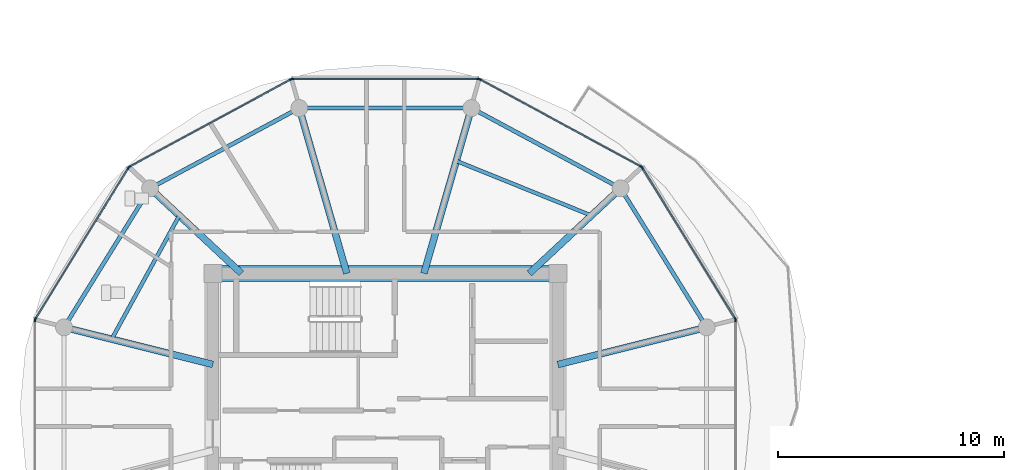
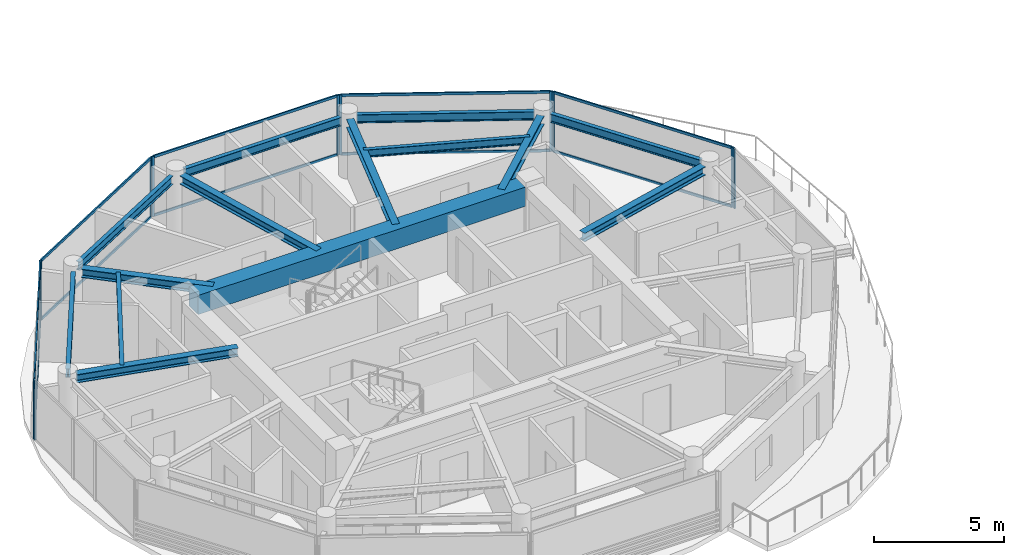
# One storey, part 4 of 19: 22 members, 14 beams, 7 elements without a shape of their own.
"""IFC4 building model written with IfcOpenShell, lengths in metres."""

from ifc_helpers import new_model, si_unit, direction, frame, origin, origin_2d, place, context, subcontext, project, spatial, rectangle, i_section, extrude, source, transform, mapped, material, layer, layer_set, material_profile, profile_set, type_object, type_shapes, element, aggregate, save


model = new_model("IFC4")

# Units and contexts
model_context = context("Model", 3, precision=1e-05, world=origin(), true_north=direction((0.0, 1.0)))
body_context = subcontext(model_context, "Body", "Model", "MODEL_VIEW")
ifc_project = project(units=[si_unit("LENGTHUNIT", "METRE"), si_unit("AREAUNIT", "SQUARE_METRE"), si_unit("VOLUMEUNIT", "CUBIC_METRE"), si_unit("PLANEANGLEUNIT", "RADIAN"), si_unit("MASSUNIT", "GRAM", prefix="KILO")], contexts=[model_context])

# Site, building, storey
site_placement = place(None, origin())
site = spatial("IfcSite", under=ifc_project, at=site_placement, CompositionType="ELEMENT")
building_placement = place(site_placement, origin())
building = spatial("IfcBuilding", under=site, at=building_placement, Name="Norrkilde Senior Care Towers", CompositionType="ELEMENT")
storey_placement = place(building_placement, frame((0.0, 0.0, 193.699951171875)))
storey = spatial("IfcBuildingStorey", under=building, at=storey_placement, Name="L60", CompositionType="ELEMENT", Elevation=193.699951171875)

# Beams
ifc_material_1 = material(Name="Concrete C60/75", Category="concrete")
ifc_material_profile_1 = material_profile(ifc_material_1, rectangle(XDim=0.699951171875, YDim=0.89990234375, at=origin_2d()), Name="RC BM 700x900")
ifc_profile_set_1 = profile_set([ifc_material_profile_1], Name="Concrete C60/75")
beam_type_1 = type_object("IfcBeamType", Name="Core Coupling Girder 700x900", PredefinedType="USERDEFINED", material=ifc_profile_set_1)
shared_shape_1 = source(origin(), body_context, "Body", "SweptSolid", [
    extrude(rectangle(XDim=0.699951171875, YDim=0.89990234375, at=origin_2d()), origin(), (0.0, 0.0, 1.0), 14.5400390625),
])
type_shapes(beam_type_1, [shared_shape_1])
beam_1_placement = place(storey_placement, frame((-35.27001953125, 5.949951171875, 2.360107421875), z_axis=(1.0, 0.0, 0.0), x_axis=(0.0, 1.0, 0.0)))
element("IfcBeam", 1, at=beam_1_placement, inside=storey, type_object=beam_type_1, Name="L60 Core W N Coupling Girder", ObjectType="GIRDER", PredefinedType="USERDEFINED", context=body_context, shape_type="MappedRepresentation", body=[
    mapped(shared_shape_1, transform((0.0, 0.0, 0.0), x_axis=(1.0, 0.0, 0.0), y_axis=(0.0, 1.0, 0.0), z_axis=(0.0, 0.0, 1.0), scale=1.0)),
])
ifc_material_2 = material(Name="Steel S355", Category="steel")
ifc_material_profile_2 = material_profile(ifc_material_2, i_section(OverallWidth=0.179931640625, OverallDepth=0.39990234375, WebThickness=0.008544921875, FlangeThickness=0.013427734375, FilletRadius=0.02099609375, at=origin_2d()), Name="IPE 400")
ifc_profile_set_2 = profile_set([ifc_material_profile_2], Name="Steel S355")
beam_type_2 = type_object("IfcBeamType", Name="Perimeter Ring Spandrel Z4 IPE400", PredefinedType="SPANDREL", material=ifc_profile_set_2)
shared_shape_2 = source(origin(), body_context, "Body", "SweptSolid", [
    extrude(i_section(OverallWidth=0.179931640625, OverallDepth=0.39990234375, WebThickness=0.008544921875, FlangeThickness=0.013427734375, FilletRadius=0.02099609375, at=origin_2d()), origin(), (0.0, 0.0, 1.0), 6.58056640625),
])
for number, where, z_axis, x_axis, name in (
    (2, (-13.928955078125, 3.843505859375, 2.610107421875), (-0.526529583789, 0.850156807533, 0.0), (-0.850156807533, -0.526529583789, 0.0), "L60 Drum W Perimeter Spandrel 01"),
    (3, (-38.606201171875, 9.43798828125, 2.610107421875), (-0.526529583789, -0.850156807533, 0.0), (0.850156807533, -0.526529583789, 0.0), "L60 Drum W Perimeter Spandrel 05"),
):
    element("IfcBeam", number, at=place(storey_placement, frame(where, z_axis=z_axis, x_axis=x_axis)), inside=storey, type_object=beam_type_2, Name=name, PredefinedType="SPANDREL", context=body_context, shape_type="MappedRepresentation", body=[
        mapped(shared_shape_2, transform((0.0, 0.0, 0.0), x_axis=(1.0, 0.0, 0.0), y_axis=(0.0, 1.0, 0.0), z_axis=(0.0, 0.0, 1.0), scale=1.0)),
    ])
ifc_material_profile_3 = material_profile(ifc_material_2, i_section(OverallWidth=0.300048828125, OverallDepth=0.39990234375, WebThickness=0.013427734375, FlangeThickness=0.02392578125, FilletRadius=0.027099609375, at=origin_2d()), Name="HEB 400")
ifc_profile_set_3 = profile_set([ifc_material_profile_3], Name="Steel S355")
beam_type_3 = type_object("IfcBeamType", Name="Radial Floor Beam Z4 HEB400", PredefinedType="BEAM", material=ifc_profile_set_3)
shared_shape_3 = source(origin(), body_context, "Body", "SweptSolid", [
    extrude(i_section(OverallWidth=0.300048828125, OverallDepth=0.39990234375, WebThickness=0.013427734375, FlangeThickness=0.02392578125, FilletRadius=0.027099609375, at=origin_2d()), origin(), (0.0, 0.0, 1.0), 6.465087890625),
])
for number, where, z_axis, x_axis, name in (
    (4, (-20.35009765625, 1.910888671875, 2.610107421875), (0.970195788563, 0.242322371758, 0.0), (-0.242322371758, 0.970195788563, 0.0), "L60 Drum W Radial Floor Beam 01"),
    (5, (-35.64990234375, 1.910888671875, 2.610107421875), (-0.970195788563, 0.242322371758, 0.0), (-0.242322371758, -0.970195788563, 0.0), "L60 Drum W Radial Floor Beam 06"),
):
    element("IfcBeam", number, at=place(storey_placement, frame(where, z_axis=z_axis, x_axis=x_axis)), inside=storey, type_object=beam_type_3, Name=name, PredefinedType="BEAM", context=body_context, shape_type="MappedRepresentation", body=[
        mapped(shared_shape_3, transform((0.0, 0.0, 0.0), x_axis=(1.0, 0.0, 0.0), y_axis=(0.0, 1.0, 0.0), z_axis=(0.0, 0.0, 1.0), scale=1.0)),
    ])
shared_shape_4 = source(origin(), body_context, "Body", "SweptSolid", [
    extrude(i_section(OverallWidth=0.179931640625, OverallDepth=0.39990234375, WebThickness=0.008544921875, FlangeThickness=0.013427734375, FilletRadius=0.02099609375, at=origin_2d()), origin(), (0.0, 0.0, 1.0), 6.839111328125),
])
for number, where, z_axis, x_axis, name in (
    (6, (-17.865234375, 9.881591796875, 2.610107421875), (-0.880563930732, 0.473927382511, 0.0), (-0.473927382511, -0.880563930732, 0.0), "L60 Drum W Perimeter Spandrel 02"),
    (7, (-32.112548828125, 13.122802734375, 2.610107421875), (-0.880563930732, -0.473927382511, 0.0), (0.473927382511, -0.880563930732, 0.0), "L60 Drum W Perimeter Spandrel 04"),
):
    element("IfcBeam", number, at=place(storey_placement, frame(where, z_axis=z_axis, x_axis=x_axis)), inside=storey, type_object=beam_type_2, Name=name, PredefinedType="SPANDREL", context=body_context, shape_type="MappedRepresentation", body=[
        mapped(shared_shape_4, transform((0.0, 0.0, 0.0), x_axis=(1.0, 0.0, 0.0), y_axis=(0.0, 1.0, 0.0), z_axis=(0.0, 0.0, 1.0), scale=1.0)),
    ])
shared_shape_5 = source(origin(), body_context, "Body", "SweptSolid", [
    extrude(i_section(OverallWidth=0.300048828125, OverallDepth=0.39990234375, WebThickness=0.013427734375, FlangeThickness=0.02392578125, FilletRadius=0.027099609375, at=origin_2d()), origin(), (0.0, 0.0, 1.0), 5.197998046875),
])
for number, where, z_axis, x_axis, name in (
    (8, (-21.6171875, 5.949951171875, 2.610107421875), (0.731448749334, 0.681896419625, 0.0), (-0.681896419625, 0.731448749334, 0.0), "L60 Drum W Radial Floor Beam 02"),
    (9, (-34.3828125, 5.949951171875, 2.610107421875), (-0.731448749334, 0.681896419625, 0.0), (-0.681896419625, -0.731448749334, 0.0), "L60 Drum W Radial Floor Beam 05"),
):
    element("IfcBeam", number, at=place(storey_placement, frame(where, z_axis=z_axis, x_axis=x_axis)), inside=storey, type_object=beam_type_3, Name=name, PredefinedType="BEAM", context=body_context, shape_type="MappedRepresentation", body=[
        mapped(shared_shape_5, transform((0.0, 0.0, 0.0), x_axis=(1.0, 0.0, 0.0), y_axis=(0.0, 1.0, 0.0), z_axis=(0.0, 0.0, 1.0), scale=1.0)),
    ])
shared_shape_6 = source(origin(), body_context, "Body", "SweptSolid", [
    extrude(i_section(OverallWidth=0.179931640625, OverallDepth=0.39990234375, WebThickness=0.008544921875, FlangeThickness=0.013427734375, FilletRadius=0.02099609375, at=origin_2d()), origin(), (0.0, 0.0, 1.0), 6.96533203125),
])
type_shapes(beam_type_2, [shared_shape_2, shared_shape_4, shared_shape_6])
beam_2_placement = place(storey_placement, frame((-24.517333984375, 13.281494140625, 2.610107421875), z_axis=(-1.0, 0.0, 0.0), x_axis=(0.0, -1.0, 0.0)))
element("IfcBeam", 10, at=beam_2_placement, inside=storey, type_object=beam_type_2, Name="L60 Drum W Perimeter Spandrel 03", PredefinedType="SPANDREL", context=body_context, shape_type="MappedRepresentation", body=[
    mapped(shared_shape_6, transform((0.0, 0.0, 0.0), x_axis=(1.0, 0.0, 0.0), y_axis=(0.0, 1.0, 0.0), z_axis=(0.0, 0.0, 1.0), scale=1.0)),
])
shared_shape_7 = source(origin(), body_context, "Body", "SweptSolid", [
    extrude(i_section(OverallWidth=0.300048828125, OverallDepth=0.39990234375, WebThickness=0.013427734375, FlangeThickness=0.02392578125, FilletRadius=0.027099609375, at=origin_2d()), origin(), (0.0, 0.0, 1.0), 7.29345703125),
])
type_shapes(beam_type_3, [shared_shape_3, shared_shape_5, shared_shape_7])
for number, where, z_axis, x_axis, name in (
    (11, (-26.289794921875, 5.949951171875, 2.610107421875), (0.276263751906, 0.961081858836, 0.0), (-0.961081858836, 0.276263751906, 0.0), "L60 Drum W Radial Floor Beam 03"),
    (12, (-29.710205078125, 5.949951171875, 2.610107421875), (-0.276263751906, 0.961081858836, 0.0), (-0.961081858836, -0.276263751906, 0.0), "L60 Drum W Radial Floor Beam 04"),
):
    element("IfcBeam", number, at=place(storey_placement, frame(where, z_axis=z_axis, x_axis=x_axis)), inside=storey, type_object=beam_type_3, Name=name, PredefinedType="BEAM", context=body_context, shape_type="MappedRepresentation", body=[
        mapped(shared_shape_7, transform((0.0, 0.0, 0.0), x_axis=(1.0, 0.0, 0.0), y_axis=(0.0, 1.0, 0.0), z_axis=(0.0, 0.0, 1.0), scale=1.0)),
    ])
ifc_material_profile_4 = material_profile(ifc_material_2, i_section(OverallWidth=0.169921875, OverallDepth=0.360107421875, WebThickness=0.008056640625, FlangeThickness=0.0126953125, FilletRadius=0.01806640625, at=origin_2d()), Name="IPE 360")
ifc_profile_set_4 = profile_set([ifc_material_profile_4], Name="Steel S355")
beam_type_4 = type_object("IfcBeamType", Name="Secondary Floor Joist IPE360", PredefinedType="JOIST", material=ifc_profile_set_4)
shared_shape_8 = source(origin(), body_context, "Body", "SweptSolid", [
    extrude(i_section(OverallWidth=0.169921875, OverallDepth=0.360107421875, WebThickness=0.008056640625, FlangeThickness=0.0126953125, FilletRadius=0.01806640625, at=origin_2d()), origin(), (0.0, 0.0, 1.0), 6.461669921875),
])
beam_3_placement = place(storey_placement, frame((-18.865234375, 8.515380859375, 2.630126953125), z_axis=(-0.927225942298, 0.374502405772, 0.0), x_axis=(-0.374502405772, -0.927225942298, 0.0)))
element("IfcBeam", 13, at=beam_3_placement, inside=storey, type_object=beam_type_4, Name="L60 Drum W Secondary Floor Joist 1", PredefinedType="JOIST", context=body_context, shape_type="MappedRepresentation", body=[
    mapped(shared_shape_8, transform((0.0, 0.0, 0.0), x_axis=(1.0, 0.0, 0.0), y_axis=(0.0, 1.0, 0.0), z_axis=(0.0, 0.0, 1.0), scale=1.0)),
])
shared_shape_9 = source(origin(), body_context, "Body", "SweptSolid", [
    extrude(i_section(OverallWidth=0.169921875, OverallDepth=0.360107421875, WebThickness=0.008056640625, FlangeThickness=0.0126953125, FilletRadius=0.01806640625, at=origin_2d()), origin(), (0.0, 0.0, 1.0), 6.25146484375),
])
type_shapes(beam_type_4, [shared_shape_8, shared_shape_9])
beam_4_placement = place(storey_placement, frame((-37.134765625, 8.515380859375, 2.630126953125), z_axis=(-0.480115752653, -0.877205143655, 0.0), x_axis=(0.877205143655, -0.480115752653, 0.0)))
element("IfcBeam", 14, at=beam_4_placement, inside=storey, type_object=beam_type_4, Name="L60 Drum W Secondary Floor Joist 2", PredefinedType="JOIST", context=body_context, shape_type="MappedRepresentation", body=[
    mapped(shared_shape_9, transform((0.0, 0.0, 0.0), x_axis=(1.0, 0.0, 0.0), y_axis=(0.0, 1.0, 0.0), z_axis=(0.0, 0.0, 1.0), scale=1.0)),
])

# Curtain wall, members
ifc_material_3 = material(Name="Triple Low-E Insulated Glazing", Category="glass")
ifc_layer = layer(ifc_material_3, 0.18505859375)
ifc_layer_set = layer_set([ifc_layer], Name="Triple Low-E Insulated Glazing")
curtain_wall_type = type_object("IfcCurtainWallType", Name="CW6 Zone 4 Crown Pavilion Curtain Wall", PredefinedType="NOTDEFINED", material=ifc_layer_set)
curtain_wall_1_placement = place(storey_placement, origin())
curtain_wall_1 = element("IfcCurtainWall", 15, at=curtain_wall_1_placement, inside=storey, type_object=curtain_wall_type, Name="L60 Drum W Curtain Wall 00", PredefinedType="NOTDEFINED")
ifc_material_4 = material(Name="Anodised Aluminium", Category="aluminium")
ifc_material_profile_5 = material_profile(ifc_material_4, rectangle(XDim=0.06494140625, YDim=0.14990234375, at=origin_2d()), Name="ALU MULL 65x150")
ifc_profile_set_5 = profile_set([ifc_material_profile_5], Name="Anodised Aluminium")
member_type_1 = type_object("IfcMemberType", Name="Curtain Wall Mullion Z3-Z4 65x150", PredefinedType="MULLION", material=ifc_profile_set_5)
shared_shape_10 = source(origin(), body_context, "Body", "SweptSolid", [
    extrude(rectangle(XDim=0.06494140625, YDim=0.14990234375, at=origin_2d()), origin(), (0.0, 0.0, 1.0), 2.81005859375),
])
type_shapes(member_type_1, [shared_shape_10])
member_1_placement = place(storey_placement, frame((-16.61279296875, 10.635498046875, 0.0), z_axis=(0.0, 0.0, 1.0), x_axis=(0.851562727283, 0.524252726748, 0.0)))
member_1 = element("IfcMember", 16, at=member_1_placement, type_object=member_type_1, Name="CW-6 mullion 1", PredefinedType="MULLION", context=body_context, shape_type="MappedRepresentation", body=[
    mapped(shared_shape_10, transform((0.0, 0.0, 0.0), x_axis=(1.0, 0.0, 0.0), y_axis=(0.0, 1.0, 0.0), z_axis=(0.0, 0.0, 1.0), scale=1.0)),
])
member_2_placement = place(storey_placement, frame((-12.48486328125, 3.9306640625, 0.0), z_axis=(0.0, 0.0, 1.0), x_axis=(0.851562727283, 0.524252726748, 0.0)))
member_2 = element("IfcMember", 17, at=member_2_placement, type_object=member_type_1, Name="CW-6 mullion 2", PredefinedType="MULLION", context=body_context, shape_type="MappedRepresentation", body=[
    mapped(shared_shape_10, transform((0.0, 0.0, 0.0), x_axis=(1.0, 0.0, 0.0), y_axis=(0.0, 1.0, 0.0), z_axis=(0.0, 0.0, 1.0), scale=1.0)),
])

curtain_wall_2_placement = place(storey_placement, origin())
curtain_wall_2 = element("IfcCurtainWall", 18, at=curtain_wall_2_placement, inside=storey, type_object=curtain_wall_type, Name="L60 Drum W Curtain Wall 01", PredefinedType="NOTDEFINED")
member_3_placement = place(storey_placement, frame((-23.8095703125, 14.55078125, 0.0), z_axis=(0.0, 0.0, 1.0), x_axis=(0.476132676136, 0.879373455772, 0.0)))
member_3 = element("IfcMember", 19, at=member_3_placement, type_object=member_type_1, Name="CW-6 mullion 1", PredefinedType="MULLION", context=body_context, shape_type="MappedRepresentation", body=[
    mapped(shared_shape_10, transform((0.0, 0.0, 0.0), x_axis=(1.0, 0.0, 0.0), y_axis=(0.0, 1.0, 0.0), z_axis=(0.0, 0.0, 1.0), scale=1.0)),
])
member_4_placement = place(storey_placement, frame((-16.658203125, 10.6787109375, 0.0), z_axis=(0.0, 0.0, 1.0), x_axis=(0.476132676136, 0.879373455772, 0.0)))
member_4 = element("IfcMember", 20, at=member_4_placement, type_object=member_type_1, Name="CW-6 mullion 2", PredefinedType="MULLION", context=body_context, shape_type="MappedRepresentation", body=[
    mapped(shared_shape_10, transform((0.0, 0.0, 0.0), x_axis=(1.0, 0.0, 0.0), y_axis=(0.0, 1.0, 0.0), z_axis=(0.0, 0.0, 1.0), scale=1.0)),
])

curtain_wall_3_placement = place(storey_placement, origin())
curtain_wall_3 = element("IfcCurtainWall", 21, at=curtain_wall_3_placement, inside=storey, type_object=curtain_wall_type, Name="L60 Drum W Curtain Wall 02", PredefinedType="NOTDEFINED")
member_5_placement = place(storey_placement, frame((-32.12939453125, 14.566162109375, 0.0), z_axis=(0.0, 0.0, 1.0), x_axis=(0.0, 1.0, 0.0)))
member_5 = element("IfcMember", 22, at=member_5_placement, type_object=member_type_1, Name="CW-6 mullion 1", PredefinedType="MULLION", context=body_context, shape_type="MappedRepresentation", body=[
    mapped(shared_shape_10, transform((0.0, 0.0, 0.0), x_axis=(1.0, 0.0, 0.0), y_axis=(0.0, 1.0, 0.0), z_axis=(0.0, 0.0, 1.0), scale=1.0)),
])
member_6_placement = place(storey_placement, frame((-23.87060546875, 14.566162109375, 0.0), z_axis=(0.0, 0.0, 1.0), x_axis=(0.0, 1.0, 0.0)))
member_6 = element("IfcMember", 23, at=member_6_placement, type_object=member_type_1, Name="CW-6 mullion 2", PredefinedType="MULLION", context=body_context, shape_type="MappedRepresentation", body=[
    mapped(shared_shape_10, transform((0.0, 0.0, 0.0), x_axis=(1.0, 0.0, 0.0), y_axis=(0.0, 1.0, 0.0), z_axis=(0.0, 0.0, 1.0), scale=1.0)),
])

curtain_wall_4_placement = place(storey_placement, origin())
curtain_wall_4 = element("IfcCurtainWall", 24, at=curtain_wall_4_placement, inside=storey, type_object=curtain_wall_type, Name="L60 Drum W Curtain Wall 03", PredefinedType="NOTDEFINED")
member_7_placement = place(storey_placement, frame((-39.341796875, 10.6787109375, 0.0), z_axis=(0.0, 0.0, 1.0), x_axis=(-0.476132676136, 0.879373455772, 0.0)))
member_7 = element("IfcMember", 25, at=member_7_placement, type_object=member_type_1, Name="CW-6 mullion 1", PredefinedType="MULLION", context=body_context, shape_type="MappedRepresentation", body=[
    mapped(shared_shape_10, transform((0.0, 0.0, 0.0), x_axis=(1.0, 0.0, 0.0), y_axis=(0.0, 1.0, 0.0), z_axis=(0.0, 0.0, 1.0), scale=1.0)),
])
member_8_placement = place(storey_placement, frame((-32.1904296875, 14.55078125, 0.0), z_axis=(0.0, 0.0, 1.0), x_axis=(-0.476132676136, 0.879373455772, 0.0)))
member_8 = element("IfcMember", 26, at=member_8_placement, type_object=member_type_1, Name="CW-6 mullion 2", PredefinedType="MULLION", context=body_context, shape_type="MappedRepresentation", body=[
    mapped(shared_shape_10, transform((0.0, 0.0, 0.0), x_axis=(1.0, 0.0, 0.0), y_axis=(0.0, 1.0, 0.0), z_axis=(0.0, 0.0, 1.0), scale=1.0)),
])

curtain_wall_5_placement = place(storey_placement, origin())
curtain_wall_5 = element("IfcCurtainWall", 27, at=curtain_wall_5_placement, inside=storey, type_object=curtain_wall_type, Name="L60 Drum W Curtain Wall 04", PredefinedType="NOTDEFINED")
member_9_placement = place(storey_placement, frame((-43.51513671875, 3.9306640625, 0.0), z_axis=(0.0, 0.0, 1.0), x_axis=(-0.851562727283, 0.524252726748, 0.0)))
member_9 = element("IfcMember", 28, at=member_9_placement, type_object=member_type_1, Name="CW-6 mullion 1", PredefinedType="MULLION", context=body_context, shape_type="MappedRepresentation", body=[
    mapped(shared_shape_10, transform((0.0, 0.0, 0.0), x_axis=(1.0, 0.0, 0.0), y_axis=(0.0, 1.0, 0.0), z_axis=(0.0, 0.0, 1.0), scale=1.0)),
])
member_10_placement = place(storey_placement, frame((-39.38720703125, 10.635498046875, 0.0), z_axis=(0.0, 0.0, 1.0), x_axis=(-0.851562727283, 0.524252726748, 0.0)))
member_10 = element("IfcMember", 29, at=member_10_placement, type_object=member_type_1, Name="CW-6 mullion 2", PredefinedType="MULLION", context=body_context, shape_type="MappedRepresentation", body=[
    mapped(shared_shape_10, transform((0.0, 0.0, 0.0), x_axis=(1.0, 0.0, 0.0), y_axis=(0.0, 1.0, 0.0), z_axis=(0.0, 0.0, 1.0), scale=1.0)),
])

# Curtain wall, member
curtain_wall_6_placement = place(storey_placement, origin())
curtain_wall_6 = element("IfcCurtainWall", 30, at=curtain_wall_6_placement, inside=storey, type_object=curtain_wall_type, Name="L60 Drum W Curtain Wall 05", PredefinedType="NOTDEFINED")
member_11_placement = place(storey_placement, frame((-43.531982421875, 3.87060546875, 0.0), z_axis=(0.0, 0.0, 1.0), x_axis=(-1.0, 0.0, 0.0)))
member_11 = element("IfcMember", 31, at=member_11_placement, type_object=member_type_1, Name="CW-6 mullion 2", PredefinedType="MULLION", context=body_context, shape_type="MappedRepresentation", body=[
    mapped(shared_shape_10, transform((0.0, 0.0, 0.0), x_axis=(1.0, 0.0, 0.0), y_axis=(0.0, 1.0, 0.0), z_axis=(0.0, 0.0, 1.0), scale=1.0)),
])
aggregate(curtain_wall_6, [member_11])

curtain_wall_7_placement = place(storey_placement, origin())
curtain_wall_7 = element("IfcCurtainWall", 32, at=curtain_wall_7_placement, inside=storey, type_object=curtain_wall_type, Name="L60 Drum W Curtain Wall 11", PredefinedType="NOTDEFINED")
member_12_placement = place(storey_placement, frame((-12.468017578125, 3.87060546875, 0.0), z_axis=(0.0, 0.0, 1.0), x_axis=(1.0, 0.0, 0.0)))
member_12 = element("IfcMember", 33, at=member_12_placement, type_object=member_type_1, Name="CW-6 mullion 1", PredefinedType="MULLION", context=body_context, shape_type="MappedRepresentation", body=[
    mapped(shared_shape_10, transform((0.0, 0.0, 0.0), x_axis=(1.0, 0.0, 0.0), y_axis=(0.0, 1.0, 0.0), z_axis=(0.0, 0.0, 1.0), scale=1.0)),
])
aggregate(curtain_wall_7, [member_12])

# Member
ifc_material_profile_6 = material_profile(ifc_material_4, rectangle(XDim=0.06005859375, YDim=0.1201171875, at=origin_2d()), Name="ALU TRAN 60x120")
ifc_profile_set_6 = profile_set([ifc_material_profile_6], Name="Anodised Aluminium")
member_type_2 = type_object("IfcMemberType", Name="Curtain Wall Transom Typical 60x120", PredefinedType="USERDEFINED", material=ifc_profile_set_6)
shared_shape_11 = source(origin(), body_context, "Body", "SweptSolid", [
    extrude(rectangle(XDim=0.06005859375, YDim=0.1201171875, at=origin_2d()), origin(), (0.0, 0.0, 1.0), 7.808837890625),
])
member_13_placement = place(storey_placement, frame((-16.595703125, 10.60791015625, 0.030029296875), z_axis=(0.524250924101, -0.851563837055, 0.0), x_axis=(0.851563837055, 0.524250924101, 0.0)))
member_13 = element("IfcMember", 34, at=member_13_placement, type_object=member_type_2, Name="CW-6 transom 1.1", ObjectType="TRANSOM", PredefinedType="USERDEFINED", context=body_context, shape_type="MappedRepresentation", body=[
    mapped(shared_shape_11, transform((0.0, 0.0, 0.0), x_axis=(1.0, 0.0, 0.0), y_axis=(0.0, 1.0, 0.0), z_axis=(0.0, 0.0, 1.0), scale=1.0)),
])

member_14_placement = place(storey_placement, frame((-16.595703125, 10.60791015625, 2.780029296875), z_axis=(0.524250924101, -0.851563837055, 0.0), x_axis=(0.851563837055, 0.524250924101, 0.0)))
member_14 = element("IfcMember", 35, at=member_14_placement, type_object=member_type_2, Name="CW-6 transom 1.2", ObjectType="TRANSOM", PredefinedType="USERDEFINED", context=body_context, shape_type="MappedRepresentation", body=[
    mapped(shared_shape_11, transform((0.0, 0.0, 0.0), x_axis=(1.0, 0.0, 0.0), y_axis=(0.0, 1.0, 0.0), z_axis=(0.0, 0.0, 1.0), scale=1.0)),
])

aggregate(curtain_wall_1, [member_1, member_2, member_13, member_14])

member_15_placement = place(storey_placement, frame((-43.498046875, 3.958251953125, 0.030029296875), z_axis=(0.524250924101, 0.851563837055, 0.0), x_axis=(-0.851563837055, 0.524250924101, 0.0)))
member_15 = element("IfcMember", 36, at=member_15_placement, type_object=member_type_2, Name="CW-6 transom 1.1", ObjectType="TRANSOM", PredefinedType="USERDEFINED", context=body_context, shape_type="MappedRepresentation", body=[
    mapped(shared_shape_11, transform((0.0, 0.0, 0.0), x_axis=(1.0, 0.0, 0.0), y_axis=(0.0, 1.0, 0.0), z_axis=(0.0, 0.0, 1.0), scale=1.0)),
])

member_16_placement = place(storey_placement, frame((-43.498046875, 3.958251953125, 2.780029296875), z_axis=(0.524250924101, 0.851563837055, 0.0), x_axis=(-0.851563837055, 0.524250924101, 0.0)))
member_16 = element("IfcMember", 37, at=member_16_placement, type_object=member_type_2, Name="CW-6 transom 1.2", ObjectType="TRANSOM", PredefinedType="USERDEFINED", context=body_context, shape_type="MappedRepresentation", body=[
    mapped(shared_shape_11, transform((0.0, 0.0, 0.0), x_axis=(1.0, 0.0, 0.0), y_axis=(0.0, 1.0, 0.0), z_axis=(0.0, 0.0, 1.0), scale=1.0)),
])

aggregate(curtain_wall_5, [member_9, member_10, member_15, member_16])

shared_shape_12 = source(origin(), body_context, "Body", "SweptSolid", [
    extrude(rectangle(XDim=0.06005859375, YDim=0.1201171875, at=origin_2d()), origin(), (0.0, 0.0, 1.0), 8.19384765625),
])
member_17_placement = place(storey_placement, frame((-32.096923828125, 14.566162109375, 0.030029296875), z_axis=(1.0, 0.0, 0.0), x_axis=(0.0, 1.0, 0.0)))
member_17 = element("IfcMember", 38, at=member_17_placement, type_object=member_type_2, Name="CW-6 transom 1.1", ObjectType="TRANSOM", PredefinedType="USERDEFINED", context=body_context, shape_type="MappedRepresentation", body=[
    mapped(shared_shape_12, transform((0.0, 0.0, 0.0), x_axis=(1.0, 0.0, 0.0), y_axis=(0.0, 1.0, 0.0), z_axis=(0.0, 0.0, 1.0), scale=1.0)),
])

member_18_placement = place(storey_placement, frame((-32.096923828125, 14.566162109375, 2.780029296875), z_axis=(1.0, 0.0, 0.0), x_axis=(0.0, 1.0, 0.0)))
member_18 = element("IfcMember", 39, at=member_18_placement, type_object=member_type_2, Name="CW-6 transom 1.2", ObjectType="TRANSOM", PredefinedType="USERDEFINED", context=body_context, shape_type="MappedRepresentation", body=[
    mapped(shared_shape_12, transform((0.0, 0.0, 0.0), x_axis=(1.0, 0.0, 0.0), y_axis=(0.0, 1.0, 0.0), z_axis=(0.0, 0.0, 1.0), scale=1.0)),
])

aggregate(curtain_wall_3, [member_5, member_6, member_17, member_18])

shared_shape_13 = source(origin(), body_context, "Body", "SweptSolid", [
    extrude(rectangle(XDim=0.06005859375, YDim=0.1201171875, at=origin_2d()), origin(), (0.0, 0.0, 1.0), 8.0673828125),
])
type_shapes(member_type_2, [shared_shape_11, shared_shape_12, shared_shape_13])
member_19_placement = place(storey_placement, frame((-23.781005859375, 14.53515625, 0.030029296875), z_axis=(0.87937750072, -0.476125205411, 0.0), x_axis=(0.476125205411, 0.87937750072, 0.0)))
member_19 = element("IfcMember", 40, at=member_19_placement, type_object=member_type_2, Name="CW-6 transom 1.1", ObjectType="TRANSOM", PredefinedType="USERDEFINED", context=body_context, shape_type="MappedRepresentation", body=[
    mapped(shared_shape_13, transform((0.0, 0.0, 0.0), x_axis=(1.0, 0.0, 0.0), y_axis=(0.0, 1.0, 0.0), z_axis=(0.0, 0.0, 1.0), scale=1.0)),
])

member_20_placement = place(storey_placement, frame((-23.781005859375, 14.53515625, 2.780029296875), z_axis=(0.87937750072, -0.476125205411, 0.0), x_axis=(0.476125205411, 0.87937750072, 0.0)))
member_20 = element("IfcMember", 41, at=member_20_placement, type_object=member_type_2, Name="CW-6 transom 1.2", ObjectType="TRANSOM", PredefinedType="USERDEFINED", context=body_context, shape_type="MappedRepresentation", body=[
    mapped(shared_shape_13, transform((0.0, 0.0, 0.0), x_axis=(1.0, 0.0, 0.0), y_axis=(0.0, 1.0, 0.0), z_axis=(0.0, 0.0, 1.0), scale=1.0)),
])

aggregate(curtain_wall_2, [member_3, member_4, member_19, member_20])

member_21_placement = place(storey_placement, frame((-39.313232421875, 10.694091796875, 0.030029296875), z_axis=(0.87937750072, 0.476125205411, 0.0), x_axis=(-0.476125205411, 0.87937750072, 0.0)))
member_21 = element("IfcMember", 42, at=member_21_placement, type_object=member_type_2, Name="CW-6 transom 1.1", ObjectType="TRANSOM", PredefinedType="USERDEFINED", context=body_context, shape_type="MappedRepresentation", body=[
    mapped(shared_shape_13, transform((0.0, 0.0, 0.0), x_axis=(1.0, 0.0, 0.0), y_axis=(0.0, 1.0, 0.0), z_axis=(0.0, 0.0, 1.0), scale=1.0)),
])

member_22_placement = place(storey_placement, frame((-39.313232421875, 10.694091796875, 2.780029296875), z_axis=(0.87937750072, 0.476125205411, 0.0), x_axis=(-0.476125205411, 0.87937750072, 0.0)))
member_22 = element("IfcMember", 43, at=member_22_placement, type_object=member_type_2, Name="CW-6 transom 1.2", ObjectType="TRANSOM", PredefinedType="USERDEFINED", context=body_context, shape_type="MappedRepresentation", body=[
    mapped(shared_shape_13, transform((0.0, 0.0, 0.0), x_axis=(1.0, 0.0, 0.0), y_axis=(0.0, 1.0, 0.0), z_axis=(0.0, 0.0, 1.0), scale=1.0)),
])

aggregate(curtain_wall_4, [member_7, member_8, member_21, member_22])

save(model, "model.ifc")
